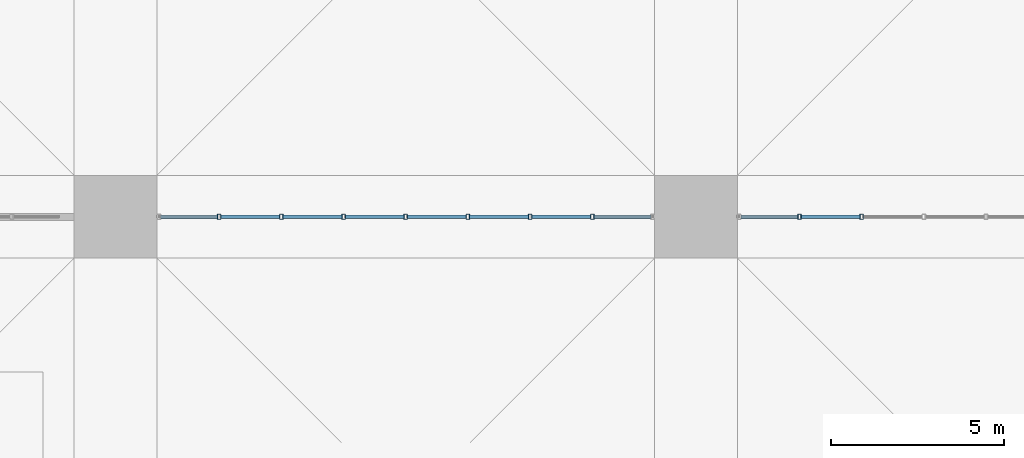
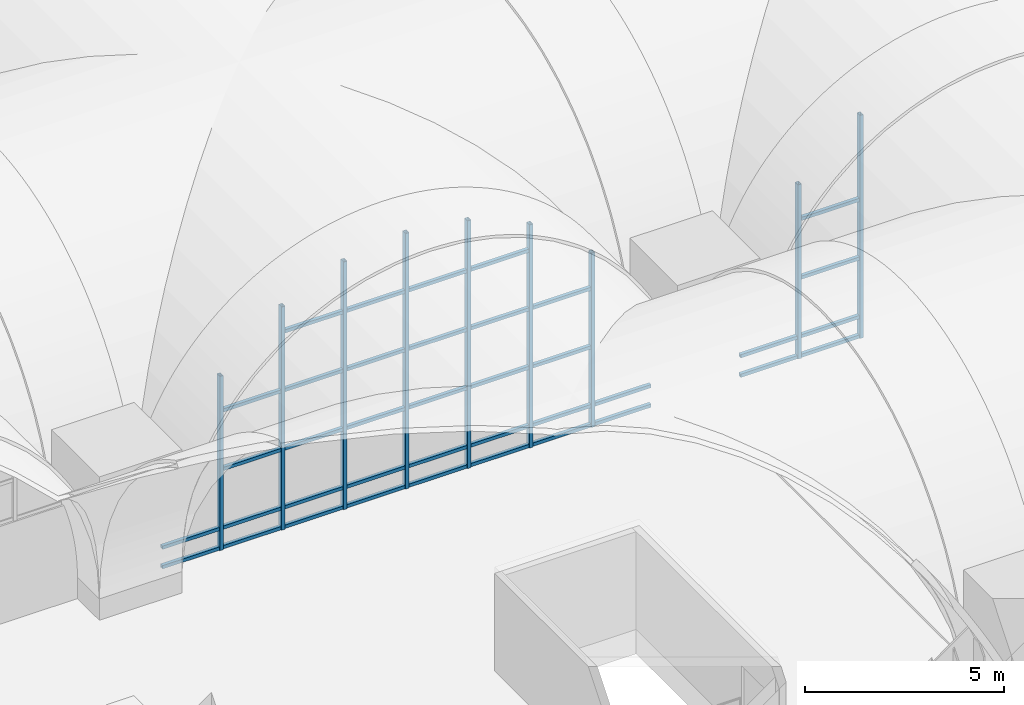
# One storey, part 37 of 169: 47 members, 2 elements without a shape of their own.
"""IFC4 building model written with IfcOpenShell, lengths in metres."""

from ifc_helpers import new_model, si_unit, direction, frame, origin, origin_2d, place, context, subcontext, project, spatial, hollow_rectangle, extrude, material, layer, layer_set, material_profile, profile_set, type_object, element, aggregate, save


model = new_model("IFC4")

# Units and contexts
model_context = context("Model", 3, precision=1e-05, world=origin(), true_north=direction((0.0, 1.0)))
body_context = subcontext(model_context, "Body", "Model", "MODEL_VIEW")
ifc_project = project(units=[si_unit("LENGTHUNIT", "METRE"), si_unit("AREAUNIT", "SQUARE_METRE"), si_unit("VOLUMEUNIT", "CUBIC_METRE"), si_unit("PLANEANGLEUNIT", "RADIAN"), si_unit("MASSUNIT", "GRAM", prefix="KILO")], contexts=[model_context])

# Site, building, storey
site_placement = place(None, origin())
site = spatial("IfcSite", under=ifc_project, at=site_placement, CompositionType="ELEMENT")
building_placement = place(site_placement, origin())
building = spatial("IfcBuilding", under=site, at=building_placement, Name="Verrick Yard Athletic Hall", CompositionType="ELEMENT")
storey_placement = place(building_placement, frame((0.0, 0.0, 4.39990234375)))
storey = spatial("IfcBuildingStorey", under=building, at=storey_placement, Name="L01", CompositionType="ELEMENT", Elevation=4.39990234375)

# Curtain wall, members
ifc_material_1 = material(Name="Aluminium and glass curtain wall", Category="aluminium")
ifc_layer = layer(ifc_material_1, 0.14990234375)
ifc_layer_set = layer_set([ifc_layer], Name="Concourse arch screen")
curtain_wall_type = type_object("IfcCurtainWallType", Name="Concourse arch screen", PredefinedType="NOTDEFINED", material=ifc_layer_set)
curtain_wall_1_placement = place(storey_placement, origin())
curtain_wall_1 = element("IfcCurtainWall", 1, at=curtain_wall_1_placement, inside=storey, type_object=curtain_wall_type, Name="Concourse screen 5", PredefinedType="NOTDEFINED")
ifc_material_2 = material(Name="Structural steel HSS Class C 350W (CSA G40.20/G40.21)", Category="steel")
ifc_material_profile_1 = material_profile(ifc_material_2, hollow_rectangle(XDim=0.1015625, YDim=0.15234375, WallThickness=0.008056640625, at=origin_2d()), Name="HSS152x102x7.9")
ifc_profile_set_1 = profile_set([ifc_material_profile_1], Name="Structural steel HSS Class C 350W (CSA G40.20/G40.21)")
member_type_1 = type_object("IfcMemberType", Name="Curtain wall mullion HSS152x102x7.9", PredefinedType="MULLION", material=ifc_profile_set_1)
member_1_placement = place(storey_placement, frame((110.199951171875, 36.0, 0.0), z_axis=(0.0, 0.0, 1.0), x_axis=(1.0, 0.0, 0.0)))
member_1 = element("IfcMember", 2, at=member_1_placement, type_object=member_type_1, Name="Concourse screen 5 mullion 2", PredefinedType="MULLION", context=body_context, shape_type="SweptSolid", body=[
    extrude(hollow_rectangle(XDim=0.1015625, YDim=0.15234375, WallThickness=0.008056640625, at=origin_2d()), origin(), (0.0, 0.0, 1.0), 5.351806640625),
])
member_2_placement = place(storey_placement, frame((112.0, 36.0, 0.0), z_axis=(0.0, 0.0, 1.0), x_axis=(1.0, 0.0, 0.0)))
member_2 = element("IfcMember", 3, at=member_2_placement, type_object=member_type_1, Name="Concourse screen 5 mullion 3", PredefinedType="MULLION", context=body_context, shape_type="SweptSolid", body=[
    extrude(hollow_rectangle(XDim=0.1015625, YDim=0.15234375, WallThickness=0.008056640625, at=origin_2d()), origin(), (0.0, 0.0, 1.0), 6.8544921875),
])
member_3_placement = place(storey_placement, frame((113.800048828125, 36.0, 0.0), z_axis=(0.0, 0.0, 1.0), x_axis=(1.0, 0.0, 0.0)))
member_3 = element("IfcMember", 4, at=member_3_placement, type_object=member_type_1, Name="Concourse screen 5 mullion 4", PredefinedType="MULLION", context=body_context, shape_type="SweptSolid", body=[
    extrude(hollow_rectangle(XDim=0.1015625, YDim=0.15234375, WallThickness=0.008056640625, at=origin_2d()), origin(), (0.0, 0.0, 1.0), 7.607666015625),
])
member_4_placement = place(storey_placement, frame((115.60009765625, 36.0, 0.0), z_axis=(0.0, 0.0, 1.0), x_axis=(1.0, 0.0, 0.0)))
member_4 = element("IfcMember", 5, at=member_4_placement, type_object=member_type_1, Name="Concourse screen 5 mullion 5", PredefinedType="MULLION", context=body_context, shape_type="SweptSolid", body=[
    extrude(hollow_rectangle(XDim=0.1015625, YDim=0.15234375, WallThickness=0.008056640625, at=origin_2d()), origin(), (0.0, 0.0, 1.0), 7.8486328125),
])
member_5_placement = place(storey_placement, frame((117.39990234375, 36.0, 0.0), z_axis=(0.0, 0.0, 1.0), x_axis=(1.0, 0.0, 0.0)))
member_5 = element("IfcMember", 6, at=member_5_placement, type_object=member_type_1, Name="Concourse screen 5 mullion 6", PredefinedType="MULLION", context=body_context, shape_type="SweptSolid", body=[
    extrude(hollow_rectangle(XDim=0.1015625, YDim=0.15234375, WallThickness=0.008056640625, at=origin_2d()), origin(), (0.0, 0.0, 1.0), 7.607666015625),
])
member_6_placement = place(storey_placement, frame((119.199951171875, 36.0, 0.0), z_axis=(0.0, 0.0, 1.0), x_axis=(1.0, 0.0, 0.0)))
member_6 = element("IfcMember", 7, at=member_6_placement, type_object=member_type_1, Name="Concourse screen 5 mullion 7", PredefinedType="MULLION", context=body_context, shape_type="SweptSolid", body=[
    extrude(hollow_rectangle(XDim=0.1015625, YDim=0.15234375, WallThickness=0.008056640625, at=origin_2d()), origin(), (0.0, 0.0, 1.0), 6.8544921875),
])
member_7_placement = place(storey_placement, frame((121.0, 36.0, 0.0), z_axis=(0.0, 0.0, 1.0), x_axis=(1.0, 0.0, 0.0)))
member_7 = element("IfcMember", 8, at=member_7_placement, type_object=member_type_1, Name="Concourse screen 5 mullion 8", PredefinedType="MULLION", context=body_context, shape_type="SweptSolid", body=[
    extrude(hollow_rectangle(XDim=0.1015625, YDim=0.15234375, WallThickness=0.008056640625, at=origin_2d()), origin(), (0.0, 0.0, 1.0), 5.351806640625),
])

curtain_wall_2_placement = place(storey_placement, origin())
curtain_wall_2 = element("IfcCurtainWall", 9, at=curtain_wall_2_placement, inside=storey, type_object=curtain_wall_type, Name="Concourse screen 6", PredefinedType="NOTDEFINED")
member_8_placement = place(storey_placement, frame((127.0, 36.0, 0.0), z_axis=(0.0, 0.0, 1.0), x_axis=(1.0, 0.0, 0.0)))
member_8 = element("IfcMember", 10, at=member_8_placement, type_object=member_type_1, Name="Concourse screen 6 mullion 2", PredefinedType="MULLION", context=body_context, shape_type="SweptSolid", body=[
    extrude(hollow_rectangle(XDim=0.1015625, YDim=0.15234375, WallThickness=0.008056640625, at=origin_2d()), origin(), (0.0, 0.0, 1.0), 5.351806640625),
])
member_9_placement = place(storey_placement, frame((128.800048828125, 36.0, 0.0), z_axis=(0.0, 0.0, 1.0), x_axis=(1.0, 0.0, 0.0)))
member_9 = element("IfcMember", 11, at=member_9_placement, type_object=member_type_1, Name="Concourse screen 6 mullion 3", PredefinedType="MULLION", context=body_context, shape_type="SweptSolid", body=[
    extrude(hollow_rectangle(XDim=0.1015625, YDim=0.15234375, WallThickness=0.008056640625, at=origin_2d()), origin(), (0.0, 0.0, 1.0), 6.8544921875),
])

# Member
ifc_material_profile_2 = material_profile(ifc_material_2, hollow_rectangle(XDim=0.1015625, YDim=0.1015625, WallThickness=0.00634765625, at=origin_2d()), Name="HSS102x102x6.4")
ifc_profile_set_2 = profile_set([ifc_material_profile_2], Name="Structural steel HSS Class C 350W (CSA G40.20/G40.21)")
member_type_2 = type_object("IfcMemberType", Name="Curtain wall transom HSS102x102x6.4", PredefinedType="USERDEFINED", material=ifc_profile_set_2)
member_10_placement = place(storey_placement, frame((108.502197265625, 36.0, 0.05078125), z_axis=(1.0, 0.0, 0.0), x_axis=(0.0, 1.0, 0.0)))
member_10 = element("IfcMember", 12, at=member_10_placement, type_object=member_type_2, Name="Concourse screen 5 transom 1", ObjectType="TRANSOM", PredefinedType="USERDEFINED", context=body_context, shape_type="SweptSolid", body=[
    extrude(hollow_rectangle(XDim=0.1015625, YDim=0.1015625, WallThickness=0.00634765625, at=origin_2d()), origin(), (0.0, 0.0, 1.0), 1.64697265625),
])

member_11_placement = place(storey_placement, frame((108.502197265625, 36.0, 0.650146484375), z_axis=(1.0, 0.0, 0.0), x_axis=(0.0, 1.0, 0.0)))
member_11 = element("IfcMember", 13, at=member_11_placement, type_object=member_type_2, Name="Concourse screen 5 transom 2", ObjectType="TRANSOM", PredefinedType="USERDEFINED", context=body_context, shape_type="SweptSolid", body=[
    extrude(hollow_rectangle(XDim=0.1015625, YDim=0.1015625, WallThickness=0.00634765625, at=origin_2d()), origin(), (0.0, 0.0, 1.0), 1.64697265625),
])

member_12_placement = place(storey_placement, frame((110.250732421875, 36.0, 0.05078125), z_axis=(1.0, 0.0, 0.0), x_axis=(0.0, 1.0, 0.0)))
member_12 = element("IfcMember", 14, at=member_12_placement, type_object=member_type_2, Name="Concourse screen 5 transom 3", ObjectType="TRANSOM", PredefinedType="USERDEFINED", context=body_context, shape_type="SweptSolid", body=[
    extrude(hollow_rectangle(XDim=0.1015625, YDim=0.1015625, WallThickness=0.00634765625, at=origin_2d()), origin(), (0.0, 0.0, 1.0), 1.698486328125),
])

member_13_placement = place(storey_placement, frame((110.250732421875, 36.0, 0.650146484375), z_axis=(1.0, 0.0, 0.0), x_axis=(0.0, 1.0, 0.0)))
member_13 = element("IfcMember", 15, at=member_13_placement, type_object=member_type_2, Name="Concourse screen 5 transom 4", ObjectType="TRANSOM", PredefinedType="USERDEFINED", context=body_context, shape_type="SweptSolid", body=[
    extrude(hollow_rectangle(XDim=0.1015625, YDim=0.1015625, WallThickness=0.00634765625, at=origin_2d()), origin(), (0.0, 0.0, 1.0), 1.698486328125),
])

member_14_placement = place(storey_placement, frame((110.250732421875, 36.0, 2.4501953125), z_axis=(1.0, 0.0, 0.0), x_axis=(0.0, 1.0, 0.0)))
member_14 = element("IfcMember", 16, at=member_14_placement, type_object=member_type_2, Name="Concourse screen 5 transom 5", ObjectType="TRANSOM", PredefinedType="USERDEFINED", context=body_context, shape_type="SweptSolid", body=[
    extrude(hollow_rectangle(XDim=0.1015625, YDim=0.1015625, WallThickness=0.00634765625, at=origin_2d()), origin(), (0.0, 0.0, 1.0), 1.698486328125),
])

member_15_placement = place(storey_placement, frame((110.250732421875, 36.0, 4.25), z_axis=(1.0, 0.0, 0.0), x_axis=(0.0, 1.0, 0.0)))
member_15 = element("IfcMember", 17, at=member_15_placement, type_object=member_type_2, Name="Concourse screen 5 transom 6", ObjectType="TRANSOM", PredefinedType="USERDEFINED", context=body_context, shape_type="SweptSolid", body=[
    extrude(hollow_rectangle(XDim=0.1015625, YDim=0.1015625, WallThickness=0.00634765625, at=origin_2d()), origin(), (0.0, 0.0, 1.0), 1.698486328125),
])

member_16_placement = place(storey_placement, frame((112.05078125, 36.0, 0.05078125), z_axis=(1.0, 0.0, 0.0), x_axis=(0.0, 1.0, 0.0)))
member_16 = element("IfcMember", 18, at=member_16_placement, type_object=member_type_2, Name="Concourse screen 5 transom 7", ObjectType="TRANSOM", PredefinedType="USERDEFINED", context=body_context, shape_type="SweptSolid", body=[
    extrude(hollow_rectangle(XDim=0.1015625, YDim=0.1015625, WallThickness=0.00634765625, at=origin_2d()), origin(), (0.0, 0.0, 1.0), 1.698486328125),
])

member_17_placement = place(storey_placement, frame((112.05078125, 36.0, 0.650146484375), z_axis=(1.0, 0.0, 0.0), x_axis=(0.0, 1.0, 0.0)))
member_17 = element("IfcMember", 19, at=member_17_placement, type_object=member_type_2, Name="Concourse screen 5 transom 8", ObjectType="TRANSOM", PredefinedType="USERDEFINED", context=body_context, shape_type="SweptSolid", body=[
    extrude(hollow_rectangle(XDim=0.1015625, YDim=0.1015625, WallThickness=0.00634765625, at=origin_2d()), origin(), (0.0, 0.0, 1.0), 1.698486328125),
])

member_18_placement = place(storey_placement, frame((112.05078125, 36.0, 2.4501953125), z_axis=(1.0, 0.0, 0.0), x_axis=(0.0, 1.0, 0.0)))
member_18 = element("IfcMember", 20, at=member_18_placement, type_object=member_type_2, Name="Concourse screen 5 transom 9", ObjectType="TRANSOM", PredefinedType="USERDEFINED", context=body_context, shape_type="SweptSolid", body=[
    extrude(hollow_rectangle(XDim=0.1015625, YDim=0.1015625, WallThickness=0.00634765625, at=origin_2d()), origin(), (0.0, 0.0, 1.0), 1.698486328125),
])

member_19_placement = place(storey_placement, frame((112.05078125, 36.0, 4.25), z_axis=(1.0, 0.0, 0.0), x_axis=(0.0, 1.0, 0.0)))
member_19 = element("IfcMember", 21, at=member_19_placement, type_object=member_type_2, Name="Concourse screen 5 transom 10", ObjectType="TRANSOM", PredefinedType="USERDEFINED", context=body_context, shape_type="SweptSolid", body=[
    extrude(hollow_rectangle(XDim=0.1015625, YDim=0.1015625, WallThickness=0.00634765625, at=origin_2d()), origin(), (0.0, 0.0, 1.0), 1.698486328125),
])

member_20_placement = place(storey_placement, frame((112.05078125, 36.0, 6.050048828125), z_axis=(1.0, 0.0, 0.0), x_axis=(0.0, 1.0, 0.0)))
member_20 = element("IfcMember", 22, at=member_20_placement, type_object=member_type_2, Name="Concourse screen 5 transom 11", ObjectType="TRANSOM", PredefinedType="USERDEFINED", context=body_context, shape_type="SweptSolid", body=[
    extrude(hollow_rectangle(XDim=0.1015625, YDim=0.1015625, WallThickness=0.00634765625, at=origin_2d()), origin(), (0.0, 0.0, 1.0), 1.698486328125),
])

member_21_placement = place(storey_placement, frame((113.850830078125, 36.0, 0.05078125), z_axis=(1.0, 0.0, 0.0), x_axis=(0.0, 1.0, 0.0)))
member_21 = element("IfcMember", 23, at=member_21_placement, type_object=member_type_2, Name="Concourse screen 5 transom 12", ObjectType="TRANSOM", PredefinedType="USERDEFINED", context=body_context, shape_type="SweptSolid", body=[
    extrude(hollow_rectangle(XDim=0.1015625, YDim=0.1015625, WallThickness=0.00634765625, at=origin_2d()), origin(), (0.0, 0.0, 1.0), 1.698486328125),
])

member_22_placement = place(storey_placement, frame((113.850830078125, 36.0, 0.650146484375), z_axis=(1.0, 0.0, 0.0), x_axis=(0.0, 1.0, 0.0)))
member_22 = element("IfcMember", 24, at=member_22_placement, type_object=member_type_2, Name="Concourse screen 5 transom 13", ObjectType="TRANSOM", PredefinedType="USERDEFINED", context=body_context, shape_type="SweptSolid", body=[
    extrude(hollow_rectangle(XDim=0.1015625, YDim=0.1015625, WallThickness=0.00634765625, at=origin_2d()), origin(), (0.0, 0.0, 1.0), 1.698486328125),
])

member_23_placement = place(storey_placement, frame((113.850830078125, 36.0, 2.4501953125), z_axis=(1.0, 0.0, 0.0), x_axis=(0.0, 1.0, 0.0)))
member_23 = element("IfcMember", 25, at=member_23_placement, type_object=member_type_2, Name="Concourse screen 5 transom 14", ObjectType="TRANSOM", PredefinedType="USERDEFINED", context=body_context, shape_type="SweptSolid", body=[
    extrude(hollow_rectangle(XDim=0.1015625, YDim=0.1015625, WallThickness=0.00634765625, at=origin_2d()), origin(), (0.0, 0.0, 1.0), 1.698486328125),
])

member_24_placement = place(storey_placement, frame((113.850830078125, 36.0, 4.25), z_axis=(1.0, 0.0, 0.0), x_axis=(0.0, 1.0, 0.0)))
member_24 = element("IfcMember", 26, at=member_24_placement, type_object=member_type_2, Name="Concourse screen 5 transom 15", ObjectType="TRANSOM", PredefinedType="USERDEFINED", context=body_context, shape_type="SweptSolid", body=[
    extrude(hollow_rectangle(XDim=0.1015625, YDim=0.1015625, WallThickness=0.00634765625, at=origin_2d()), origin(), (0.0, 0.0, 1.0), 1.698486328125),
])

member_25_placement = place(storey_placement, frame((113.850830078125, 36.0, 6.050048828125), z_axis=(1.0, 0.0, 0.0), x_axis=(0.0, 1.0, 0.0)))
member_25 = element("IfcMember", 27, at=member_25_placement, type_object=member_type_2, Name="Concourse screen 5 transom 16", ObjectType="TRANSOM", PredefinedType="USERDEFINED", context=body_context, shape_type="SweptSolid", body=[
    extrude(hollow_rectangle(XDim=0.1015625, YDim=0.1015625, WallThickness=0.00634765625, at=origin_2d()), origin(), (0.0, 0.0, 1.0), 1.698486328125),
])

member_26_placement = place(storey_placement, frame((115.65087890625, 36.0, 0.05078125), z_axis=(1.0, 0.0, 0.0), x_axis=(0.0, 1.0, 0.0)))
member_26 = element("IfcMember", 28, at=member_26_placement, type_object=member_type_2, Name="Concourse screen 5 transom 17", ObjectType="TRANSOM", PredefinedType="USERDEFINED", context=body_context, shape_type="SweptSolid", body=[
    extrude(hollow_rectangle(XDim=0.1015625, YDim=0.1015625, WallThickness=0.00634765625, at=origin_2d()), origin(), (0.0, 0.0, 1.0), 1.6982421875),
])

member_27_placement = place(storey_placement, frame((115.65087890625, 36.0, 0.650146484375), z_axis=(1.0, 0.0, 0.0), x_axis=(0.0, 1.0, 0.0)))
member_27 = element("IfcMember", 29, at=member_27_placement, type_object=member_type_2, Name="Concourse screen 5 transom 18", ObjectType="TRANSOM", PredefinedType="USERDEFINED", context=body_context, shape_type="SweptSolid", body=[
    extrude(hollow_rectangle(XDim=0.1015625, YDim=0.1015625, WallThickness=0.00634765625, at=origin_2d()), origin(), (0.0, 0.0, 1.0), 1.6982421875),
])

member_28_placement = place(storey_placement, frame((115.65087890625, 36.0, 2.4501953125), z_axis=(1.0, 0.0, 0.0), x_axis=(0.0, 1.0, 0.0)))
member_28 = element("IfcMember", 30, at=member_28_placement, type_object=member_type_2, Name="Concourse screen 5 transom 19", ObjectType="TRANSOM", PredefinedType="USERDEFINED", context=body_context, shape_type="SweptSolid", body=[
    extrude(hollow_rectangle(XDim=0.1015625, YDim=0.1015625, WallThickness=0.00634765625, at=origin_2d()), origin(), (0.0, 0.0, 1.0), 1.6982421875),
])

member_29_placement = place(storey_placement, frame((115.65087890625, 36.0, 4.25), z_axis=(1.0, 0.0, 0.0), x_axis=(0.0, 1.0, 0.0)))
member_29 = element("IfcMember", 31, at=member_29_placement, type_object=member_type_2, Name="Concourse screen 5 transom 20", ObjectType="TRANSOM", PredefinedType="USERDEFINED", context=body_context, shape_type="SweptSolid", body=[
    extrude(hollow_rectangle(XDim=0.1015625, YDim=0.1015625, WallThickness=0.00634765625, at=origin_2d()), origin(), (0.0, 0.0, 1.0), 1.6982421875),
])

member_30_placement = place(storey_placement, frame((115.65087890625, 36.0, 6.050048828125), z_axis=(1.0, 0.0, 0.0), x_axis=(0.0, 1.0, 0.0)))
member_30 = element("IfcMember", 32, at=member_30_placement, type_object=member_type_2, Name="Concourse screen 5 transom 21", ObjectType="TRANSOM", PredefinedType="USERDEFINED", context=body_context, shape_type="SweptSolid", body=[
    extrude(hollow_rectangle(XDim=0.1015625, YDim=0.1015625, WallThickness=0.00634765625, at=origin_2d()), origin(), (0.0, 0.0, 1.0), 1.6982421875),
])

member_31_placement = place(storey_placement, frame((117.45068359375, 36.0, 0.05078125), z_axis=(1.0, 0.0, 0.0), x_axis=(0.0, 1.0, 0.0)))
member_31 = element("IfcMember", 33, at=member_31_placement, type_object=member_type_2, Name="Concourse screen 5 transom 22", ObjectType="TRANSOM", PredefinedType="USERDEFINED", context=body_context, shape_type="SweptSolid", body=[
    extrude(hollow_rectangle(XDim=0.1015625, YDim=0.1015625, WallThickness=0.00634765625, at=origin_2d()), origin(), (0.0, 0.0, 1.0), 1.698486328125),
])

member_32_placement = place(storey_placement, frame((117.45068359375, 36.0, 0.650146484375), z_axis=(1.0, 0.0, 0.0), x_axis=(0.0, 1.0, 0.0)))
member_32 = element("IfcMember", 34, at=member_32_placement, type_object=member_type_2, Name="Concourse screen 5 transom 23", ObjectType="TRANSOM", PredefinedType="USERDEFINED", context=body_context, shape_type="SweptSolid", body=[
    extrude(hollow_rectangle(XDim=0.1015625, YDim=0.1015625, WallThickness=0.00634765625, at=origin_2d()), origin(), (0.0, 0.0, 1.0), 1.698486328125),
])

member_33_placement = place(storey_placement, frame((117.45068359375, 36.0, 2.4501953125), z_axis=(1.0, 0.0, 0.0), x_axis=(0.0, 1.0, 0.0)))
member_33 = element("IfcMember", 35, at=member_33_placement, type_object=member_type_2, Name="Concourse screen 5 transom 24", ObjectType="TRANSOM", PredefinedType="USERDEFINED", context=body_context, shape_type="SweptSolid", body=[
    extrude(hollow_rectangle(XDim=0.1015625, YDim=0.1015625, WallThickness=0.00634765625, at=origin_2d()), origin(), (0.0, 0.0, 1.0), 1.698486328125),
])

member_34_placement = place(storey_placement, frame((117.45068359375, 36.0, 4.25), z_axis=(1.0, 0.0, 0.0), x_axis=(0.0, 1.0, 0.0)))
member_34 = element("IfcMember", 36, at=member_34_placement, type_object=member_type_2, Name="Concourse screen 5 transom 25", ObjectType="TRANSOM", PredefinedType="USERDEFINED", context=body_context, shape_type="SweptSolid", body=[
    extrude(hollow_rectangle(XDim=0.1015625, YDim=0.1015625, WallThickness=0.00634765625, at=origin_2d()), origin(), (0.0, 0.0, 1.0), 1.698486328125),
])

member_35_placement = place(storey_placement, frame((117.45068359375, 36.0, 6.050048828125), z_axis=(1.0, 0.0, 0.0), x_axis=(0.0, 1.0, 0.0)))
member_35 = element("IfcMember", 37, at=member_35_placement, type_object=member_type_2, Name="Concourse screen 5 transom 26", ObjectType="TRANSOM", PredefinedType="USERDEFINED", context=body_context, shape_type="SweptSolid", body=[
    extrude(hollow_rectangle(XDim=0.1015625, YDim=0.1015625, WallThickness=0.00634765625, at=origin_2d()), origin(), (0.0, 0.0, 1.0), 1.698486328125),
])

member_36_placement = place(storey_placement, frame((119.250732421875, 36.0, 0.05078125), z_axis=(1.0, 0.0, 0.0), x_axis=(0.0, 1.0, 0.0)))
member_36 = element("IfcMember", 38, at=member_36_placement, type_object=member_type_2, Name="Concourse screen 5 transom 27", ObjectType="TRANSOM", PredefinedType="USERDEFINED", context=body_context, shape_type="SweptSolid", body=[
    extrude(hollow_rectangle(XDim=0.1015625, YDim=0.1015625, WallThickness=0.00634765625, at=origin_2d()), origin(), (0.0, 0.0, 1.0), 1.698486328125),
])

member_37_placement = place(storey_placement, frame((119.250732421875, 36.0, 0.650146484375), z_axis=(1.0, 0.0, 0.0), x_axis=(0.0, 1.0, 0.0)))
member_37 = element("IfcMember", 39, at=member_37_placement, type_object=member_type_2, Name="Concourse screen 5 transom 28", ObjectType="TRANSOM", PredefinedType="USERDEFINED", context=body_context, shape_type="SweptSolid", body=[
    extrude(hollow_rectangle(XDim=0.1015625, YDim=0.1015625, WallThickness=0.00634765625, at=origin_2d()), origin(), (0.0, 0.0, 1.0), 1.698486328125),
])

member_38_placement = place(storey_placement, frame((119.250732421875, 36.0, 2.4501953125), z_axis=(1.0, 0.0, 0.0), x_axis=(0.0, 1.0, 0.0)))
member_38 = element("IfcMember", 40, at=member_38_placement, type_object=member_type_2, Name="Concourse screen 5 transom 29", ObjectType="TRANSOM", PredefinedType="USERDEFINED", context=body_context, shape_type="SweptSolid", body=[
    extrude(hollow_rectangle(XDim=0.1015625, YDim=0.1015625, WallThickness=0.00634765625, at=origin_2d()), origin(), (0.0, 0.0, 1.0), 1.698486328125),
])

member_39_placement = place(storey_placement, frame((119.250732421875, 36.0, 4.25), z_axis=(1.0, 0.0, 0.0), x_axis=(0.0, 1.0, 0.0)))
member_39 = element("IfcMember", 41, at=member_39_placement, type_object=member_type_2, Name="Concourse screen 5 transom 30", ObjectType="TRANSOM", PredefinedType="USERDEFINED", context=body_context, shape_type="SweptSolid", body=[
    extrude(hollow_rectangle(XDim=0.1015625, YDim=0.1015625, WallThickness=0.00634765625, at=origin_2d()), origin(), (0.0, 0.0, 1.0), 1.698486328125),
])

member_40_placement = place(storey_placement, frame((121.05078125, 36.0, 0.05078125), z_axis=(1.0, 0.0, 0.0), x_axis=(0.0, 1.0, 0.0)))
member_40 = element("IfcMember", 42, at=member_40_placement, type_object=member_type_2, Name="Concourse screen 5 transom 31", ObjectType="TRANSOM", PredefinedType="USERDEFINED", context=body_context, shape_type="SweptSolid", body=[
    extrude(hollow_rectangle(XDim=0.1015625, YDim=0.1015625, WallThickness=0.00634765625, at=origin_2d()), origin(), (0.0, 0.0, 1.0), 1.647216796875),
])

member_41_placement = place(storey_placement, frame((121.05078125, 36.0, 0.650146484375), z_axis=(1.0, 0.0, 0.0), x_axis=(0.0, 1.0, 0.0)))
member_41 = element("IfcMember", 43, at=member_41_placement, type_object=member_type_2, Name="Concourse screen 5 transom 32", ObjectType="TRANSOM", PredefinedType="USERDEFINED", context=body_context, shape_type="SweptSolid", body=[
    extrude(hollow_rectangle(XDim=0.1015625, YDim=0.1015625, WallThickness=0.00634765625, at=origin_2d()), origin(), (0.0, 0.0, 1.0), 1.647216796875),
])

aggregate(curtain_wall_1, [member_1, member_2, member_3, member_4, member_5, member_6, member_7, member_10, member_11, member_12, member_13, member_14, member_15, member_16, member_17, member_18, member_19, member_20, member_21, member_22, member_23, member_24, member_25, member_26, member_27, member_28, member_29, member_30, member_31, member_32, member_33, member_34, member_35, member_36, member_37, member_38, member_39, member_40, member_41])

member_42_placement = place(storey_placement, frame((125.302001953125, 36.0, 0.05078125), z_axis=(1.0, 0.0, 0.0), x_axis=(0.0, 1.0, 0.0)))
member_42 = element("IfcMember", 44, at=member_42_placement, type_object=member_type_2, Name="Concourse screen 6 transom 1", ObjectType="TRANSOM", PredefinedType="USERDEFINED", context=body_context, shape_type="SweptSolid", body=[
    extrude(hollow_rectangle(XDim=0.1015625, YDim=0.1015625, WallThickness=0.00634765625, at=origin_2d()), origin(), (0.0, 0.0, 1.0), 1.647216796875),
])

member_43_placement = place(storey_placement, frame((125.302001953125, 36.0, 0.650146484375), z_axis=(1.0, 0.0, 0.0), x_axis=(0.0, 1.0, 0.0)))
member_43 = element("IfcMember", 45, at=member_43_placement, type_object=member_type_2, Name="Concourse screen 6 transom 2", ObjectType="TRANSOM", PredefinedType="USERDEFINED", context=body_context, shape_type="SweptSolid", body=[
    extrude(hollow_rectangle(XDim=0.1015625, YDim=0.1015625, WallThickness=0.00634765625, at=origin_2d()), origin(), (0.0, 0.0, 1.0), 1.647216796875),
])

member_44_placement = place(storey_placement, frame((127.05078125, 36.0, 0.05078125), z_axis=(1.0, 0.0, 0.0), x_axis=(0.0, 1.0, 0.0)))
member_44 = element("IfcMember", 46, at=member_44_placement, type_object=member_type_2, Name="Concourse screen 6 transom 3", ObjectType="TRANSOM", PredefinedType="USERDEFINED", context=body_context, shape_type="SweptSolid", body=[
    extrude(hollow_rectangle(XDim=0.1015625, YDim=0.1015625, WallThickness=0.00634765625, at=origin_2d()), origin(), (0.0, 0.0, 1.0), 1.698486328125),
])

member_45_placement = place(storey_placement, frame((127.05078125, 36.0, 0.650146484375), z_axis=(1.0, 0.0, 0.0), x_axis=(0.0, 1.0, 0.0)))
member_45 = element("IfcMember", 47, at=member_45_placement, type_object=member_type_2, Name="Concourse screen 6 transom 4", ObjectType="TRANSOM", PredefinedType="USERDEFINED", context=body_context, shape_type="SweptSolid", body=[
    extrude(hollow_rectangle(XDim=0.1015625, YDim=0.1015625, WallThickness=0.00634765625, at=origin_2d()), origin(), (0.0, 0.0, 1.0), 1.698486328125),
])

member_46_placement = place(storey_placement, frame((127.05078125, 36.0, 2.4501953125), z_axis=(1.0, 0.0, 0.0), x_axis=(0.0, 1.0, 0.0)))
member_46 = element("IfcMember", 48, at=member_46_placement, type_object=member_type_2, Name="Concourse screen 6 transom 5", ObjectType="TRANSOM", PredefinedType="USERDEFINED", context=body_context, shape_type="SweptSolid", body=[
    extrude(hollow_rectangle(XDim=0.1015625, YDim=0.1015625, WallThickness=0.00634765625, at=origin_2d()), origin(), (0.0, 0.0, 1.0), 1.698486328125),
])

member_47_placement = place(storey_placement, frame((127.05078125, 36.0, 4.25), z_axis=(1.0, 0.0, 0.0), x_axis=(0.0, 1.0, 0.0)))
member_47 = element("IfcMember", 49, at=member_47_placement, type_object=member_type_2, Name="Concourse screen 6 transom 6", ObjectType="TRANSOM", PredefinedType="USERDEFINED", context=body_context, shape_type="SweptSolid", body=[
    extrude(hollow_rectangle(XDim=0.1015625, YDim=0.1015625, WallThickness=0.00634765625, at=origin_2d()), origin(), (0.0, 0.0, 1.0), 1.698486328125),
])

aggregate(curtain_wall_2, [member_8, member_9, member_42, member_43, member_44, member_45, member_46, member_47])

save(model, "model.ifc")
